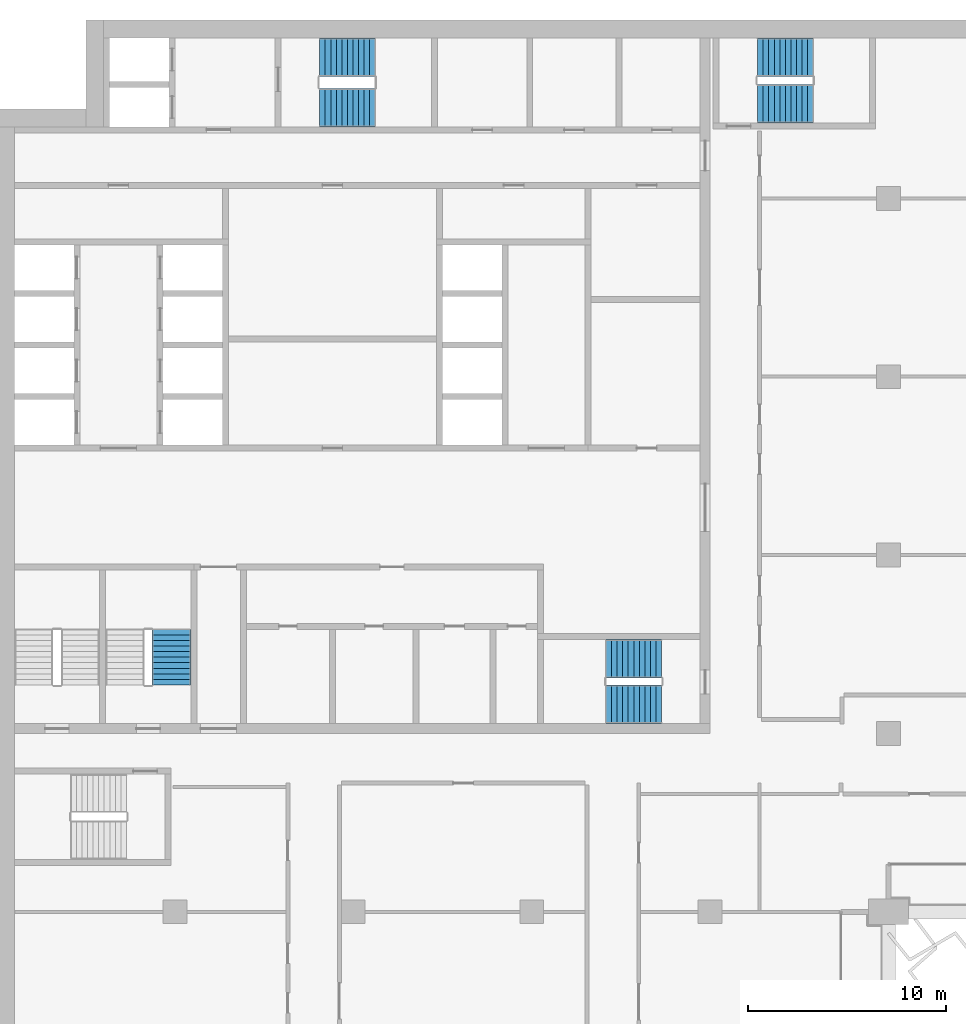
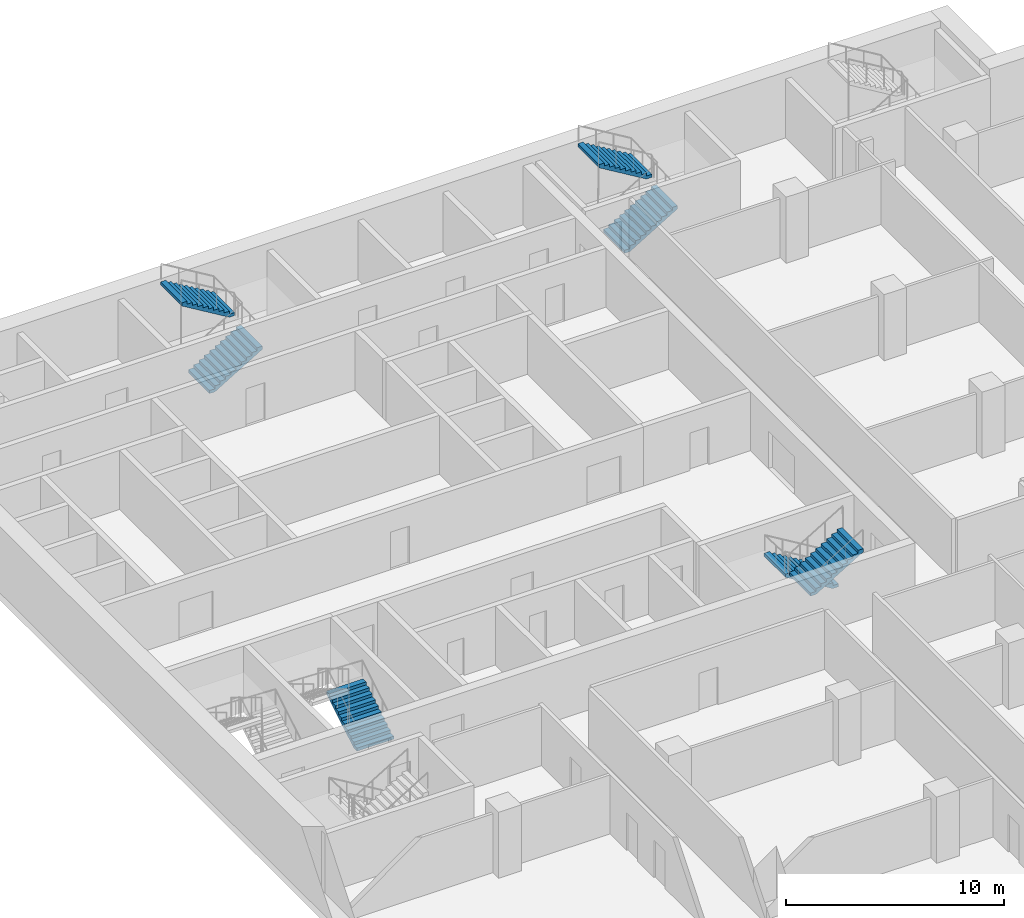
# One storey, part 16 of 22: 7 stair flights, 4 elements without a shape of their own.
"""IFC4 building model written with IfcOpenShell, lengths in metres."""

from ifc_helpers import new_model, si_unit, direction, frame, origin, place, context, subcontext, project, spatial, polyline, outline, extrude, material, type_object, element, aggregate, save


model = new_model("IFC4")

# Units and contexts
model_context = context("Model", 3, precision=1e-05, world=origin(), true_north=direction((0.0, 1.0)))
body_context = subcontext(model_context, "Body", "Model", "MODEL_VIEW")
ifc_project = project(units=[si_unit("LENGTHUNIT", "METRE"), si_unit("AREAUNIT", "SQUARE_METRE"), si_unit("VOLUMEUNIT", "CUBIC_METRE"), si_unit("PLANEANGLEUNIT", "RADIAN"), si_unit("MASSUNIT", "GRAM", prefix="KILO")], contexts=[model_context])

# Site, building, storey
site_placement = place(None, origin())
site = spatial("IfcSite", under=ifc_project, at=site_placement, CompositionType="ELEMENT")
building_placement = place(site_placement, origin())
building = spatial("IfcBuilding", under=site, at=building_placement, Name="Hunhe Ridgeline Campus", CompositionType="ELEMENT")
storey_placement = place(building_placement, frame((0.0, 0.0, 159.699951171875)))
storey = spatial("IfcBuildingStorey", under=building, at=storey_placement, Name="L40", CompositionType="ELEMENT", Elevation=159.699951171875)

# Stair, stair flights
ifc_material = material(Name="Concrete C40", Category="concrete")
stair_type = type_object("IfcStairType", Name="Reinforced concrete dog-leg stair 1950 Concrete C40", PredefinedType="HALF_TURN_STAIR", material=ifc_material)
stair_1_placement = place(storey_placement, origin())
stair_1 = element("IfcStair", 1, at=stair_1_placement, inside=storey, type_object=stair_type, Name="L40 S1", PredefinedType="HALF_TURN_STAIR")
stair_flight_type = type_object("IfcStairFlightType", Name="Reinforced concrete stair flight 1950 Concrete C40", PredefinedType="STRAIGHT", material=ifc_material)
stair_flight_1_placement = place(storey_placement, frame((16.300048828125, 94.574951171875, 0.0), z_axis=(0.0, 0.0, 1.0), x_axis=(1.0, 0.0, 0.0)))
stair_flight_1 = element("IfcStairFlight", 2, at=stair_flight_1_placement, type_object=stair_flight_type, Name="ST1 flight 1", NumberOfRisers=11, NumberOfTreads=10, PredefinedType="STRAIGHT", RiserHeight=0.168181818, TreadLength=0.28, context=body_context, shape_type="SweptSolid", body=[
    extrude(outline(polyline([(0.0, 0.0), (0.0, 0.168212890625), (0.280029296875, 0.168212890625), (0.280029296875, 0.33642578125), (0.56005859375, 0.33642578125), (0.56005859375, 0.504638671875), (0.840087890625, 0.504638671875), (0.840087890625, 0.672607421875), (1.1201171875, 0.672607421875), (1.1201171875, 0.8408203125), (1.39990234375, 0.8408203125), (1.39990234375, 1.009033203125), (1.679931640625, 1.009033203125), (1.679931640625, 1.17724609375), (1.9599609375, 1.17724609375), (1.9599609375, 1.345458984375), (2.239990234375, 1.345458984375), (2.239990234375, 1.513671875), (2.52001953125, 1.513671875), (2.52001953125, 1.681884765625), (2.800048828125, 1.681884765625), (2.800048828125, 1.85009765625), (2.800048828125, 1.5068359375), (0.291015625, 0.0), (0.0, 0.0)])), frame((0.0, 0.97509765625, 0.0), z_axis=(0.0, -1.0, 0.0), x_axis=(1.0, 0.0, 0.0)), (0.0, 0.0, 1.0), 1.949951171875),
    extrude(outline(polyline([(0.030029296875, 0.030029296875), (0.030029296875, 0.13818359375), (0.31005859375, 0.13818359375), (0.31005859375, 0.306396484375), (0.590087890625, 0.306396484375), (0.590087890625, 0.474609375), (0.8701171875, 0.474609375), (0.8701171875, 0.642578125), (1.14990234375, 0.642578125), (1.14990234375, 0.810791015625), (1.429931640625, 0.810791015625), (1.429931640625, 0.97900390625), (1.7099609375, 0.97900390625), (1.7099609375, 1.147216796875), (1.989990234375, 1.147216796875), (1.989990234375, 1.3154296875), (2.27001953125, 1.3154296875), (2.27001953125, 1.483642578125), (2.550048828125, 1.483642578125), (2.550048828125, 1.65185546875), (2.77001953125, 1.65185546875), (2.77001953125, 1.52392578125), (0.28271484375, 0.030029296875), (0.030029296875, 0.030029296875)])), frame((0.0, -0.070068359375, 0.0), z_axis=(0.0, -1.0, 0.0), x_axis=(1.0, 0.0, 0.0)), (0.0, 0.0, 1.0), 0.019775390625),
    extrude(outline(polyline([(0.030029296875, 0.030029296875), (0.030029296875, 0.13818359375), (0.31005859375, 0.13818359375), (0.31005859375, 0.306396484375), (0.590087890625, 0.306396484375), (0.590087890625, 0.474609375), (0.8701171875, 0.474609375), (0.8701171875, 0.642578125), (1.14990234375, 0.642578125), (1.14990234375, 0.810791015625), (1.429931640625, 0.810791015625), (1.429931640625, 0.97900390625), (1.7099609375, 0.97900390625), (1.7099609375, 1.147216796875), (1.989990234375, 1.147216796875), (1.989990234375, 1.3154296875), (2.27001953125, 1.3154296875), (2.27001953125, 1.483642578125), (2.550048828125, 1.483642578125), (2.550048828125, 1.65185546875), (2.77001953125, 1.65185546875), (2.77001953125, 1.52392578125), (0.28271484375, 0.030029296875), (0.030029296875, 0.030029296875)])), frame((0.0, 0.010009765625, 0.0), z_axis=(0.0, -1.0, 0.0), x_axis=(1.0, 0.0, 0.0)), (0.0, 0.0, 1.0), 0.019775390625),
    extrude(outline(polyline([(0.030029296875, 0.030029296875), (0.030029296875, 0.13818359375), (0.31005859375, 0.13818359375), (0.31005859375, 0.306396484375), (0.590087890625, 0.306396484375), (0.590087890625, 0.474609375), (0.8701171875, 0.474609375), (0.8701171875, 0.642578125), (1.14990234375, 0.642578125), (1.14990234375, 0.810791015625), (1.429931640625, 0.810791015625), (1.429931640625, 0.97900390625), (1.7099609375, 0.97900390625), (1.7099609375, 1.147216796875), (1.989990234375, 1.147216796875), (1.989990234375, 1.3154296875), (2.27001953125, 1.3154296875), (2.27001953125, 1.483642578125), (2.550048828125, 1.483642578125), (2.550048828125, 1.65185546875), (2.77001953125, 1.65185546875), (2.77001953125, 1.52392578125), (0.28271484375, 0.030029296875), (0.030029296875, 0.030029296875)])), frame((0.0, 0.090087890625, 0.0), z_axis=(0.0, -1.0, 0.0), x_axis=(1.0, 0.0, 0.0)), (0.0, 0.0, 1.0), 0.019775390625),
])
stair_flight_2_placement = place(storey_placement, frame((19.10009765625, 97.125, 1.85009765625), z_axis=(0.0, 0.0, 1.0), x_axis=(-1.0, 0.0, 0.0)))
stair_flight_2 = element("IfcStairFlight", 3, at=stair_flight_2_placement, type_object=stair_flight_type, Name="ST1 flight 2", NumberOfRisers=11, NumberOfTreads=10, PredefinedType="STRAIGHT", RiserHeight=0.168181818, TreadLength=0.28, context=body_context, shape_type="SweptSolid", body=[
    extrude(outline(polyline([(0.0, 0.0), (0.0, 0.168212890625), (0.280029296875, 0.168212890625), (0.280029296875, 0.33642578125), (0.56005859375, 0.33642578125), (0.56005859375, 0.504638671875), (0.840087890625, 0.504638671875), (0.840087890625, 0.672607421875), (1.1201171875, 0.672607421875), (1.1201171875, 0.8408203125), (1.39990234375, 0.8408203125), (1.39990234375, 1.009033203125), (1.679931640625, 1.009033203125), (1.679931640625, 1.17724609375), (1.9599609375, 1.17724609375), (1.9599609375, 1.345458984375), (2.239990234375, 1.345458984375), (2.239990234375, 1.513671875), (2.52001953125, 1.513671875), (2.52001953125, 1.681884765625), (2.800048828125, 1.681884765625), (2.800048828125, 1.85009765625), (2.800048828125, 1.5068359375), (0.291015625, 0.0), (0.0, 0.0)])), frame((0.0, 0.97509765625, 0.0), z_axis=(0.0, -1.0, 0.0), x_axis=(1.0, 0.0, 0.0)), (0.0, 0.0, 1.0), 1.949951171875),
    extrude(outline(polyline([(0.030029296875, 0.030029296875), (0.030029296875, 0.13818359375), (0.31005859375, 0.13818359375), (0.31005859375, 0.306396484375), (0.590087890625, 0.306396484375), (0.590087890625, 0.474609375), (0.8701171875, 0.474609375), (0.8701171875, 0.642578125), (1.14990234375, 0.642578125), (1.14990234375, 0.810791015625), (1.429931640625, 0.810791015625), (1.429931640625, 0.97900390625), (1.7099609375, 0.97900390625), (1.7099609375, 1.147216796875), (1.989990234375, 1.147216796875), (1.989990234375, 1.3154296875), (2.27001953125, 1.3154296875), (2.27001953125, 1.483642578125), (2.550048828125, 1.483642578125), (2.550048828125, 1.65185546875), (2.77001953125, 1.65185546875), (2.77001953125, 1.52392578125), (0.28271484375, 0.030029296875), (0.030029296875, 0.030029296875)])), frame((0.0, -0.070068359375, 0.0), z_axis=(0.0, -1.0, 0.0), x_axis=(1.0, 0.0, 0.0)), (0.0, 0.0, 1.0), 0.019775390625),
    extrude(outline(polyline([(0.030029296875, 0.030029296875), (0.030029296875, 0.13818359375), (0.31005859375, 0.13818359375), (0.31005859375, 0.306396484375), (0.590087890625, 0.306396484375), (0.590087890625, 0.474609375), (0.8701171875, 0.474609375), (0.8701171875, 0.642578125), (1.14990234375, 0.642578125), (1.14990234375, 0.810791015625), (1.429931640625, 0.810791015625), (1.429931640625, 0.97900390625), (1.7099609375, 0.97900390625), (1.7099609375, 1.147216796875), (1.989990234375, 1.147216796875), (1.989990234375, 1.3154296875), (2.27001953125, 1.3154296875), (2.27001953125, 1.483642578125), (2.550048828125, 1.483642578125), (2.550048828125, 1.65185546875), (2.77001953125, 1.65185546875), (2.77001953125, 1.52392578125), (0.28271484375, 0.030029296875), (0.030029296875, 0.030029296875)])), frame((0.0, 0.010009765625, 0.0), z_axis=(0.0, -1.0, 0.0), x_axis=(1.0, 0.0, 0.0)), (0.0, 0.0, 1.0), 0.019775390625),
    extrude(outline(polyline([(0.030029296875, 0.030029296875), (0.030029296875, 0.13818359375), (0.31005859375, 0.13818359375), (0.31005859375, 0.306396484375), (0.590087890625, 0.306396484375), (0.590087890625, 0.474609375), (0.8701171875, 0.474609375), (0.8701171875, 0.642578125), (1.14990234375, 0.642578125), (1.14990234375, 0.810791015625), (1.429931640625, 0.810791015625), (1.429931640625, 0.97900390625), (1.7099609375, 0.97900390625), (1.7099609375, 1.147216796875), (1.989990234375, 1.147216796875), (1.989990234375, 1.3154296875), (2.27001953125, 1.3154296875), (2.27001953125, 1.483642578125), (2.550048828125, 1.483642578125), (2.550048828125, 1.65185546875), (2.77001953125, 1.65185546875), (2.77001953125, 1.52392578125), (0.28271484375, 0.030029296875), (0.030029296875, 0.030029296875)])), frame((0.0, 0.090087890625, 0.0), z_axis=(0.0, -1.0, 0.0), x_axis=(1.0, 0.0, 0.0)), (0.0, 0.0, 1.0), 0.019775390625),
])
aggregate(stair_1, [stair_flight_1, stair_flight_2])

stair_2_placement = place(storey_placement, origin())
stair_2 = element("IfcStair", 4, at=stair_2_placement, inside=storey, type_object=stair_type, Name="L40 S2", PredefinedType="HALF_TURN_STAIR")
stair_flight_3_placement = place(storey_placement, frame((33.550048828125, 66.77490234375, 0.0), z_axis=(0.0, 0.0, 1.0), x_axis=(-1.0, 0.0, 0.0)))
stair_flight_3 = element("IfcStairFlight", 5, at=stair_flight_3_placement, type_object=stair_flight_type, Name="ST2 flight 1", NumberOfRisers=11, NumberOfTreads=10, PredefinedType="STRAIGHT", RiserHeight=0.168181818, TreadLength=0.28, context=body_context, shape_type="SweptSolid", body=[
    extrude(outline(polyline([(0.0, 0.0), (0.0, 0.168212890625), (0.280029296875, 0.168212890625), (0.280029296875, 0.33642578125), (0.56005859375, 0.33642578125), (0.56005859375, 0.504638671875), (0.840087890625, 0.504638671875), (0.840087890625, 0.672607421875), (1.1201171875, 0.672607421875), (1.1201171875, 0.8408203125), (1.39990234375, 0.8408203125), (1.39990234375, 1.009033203125), (1.679931640625, 1.009033203125), (1.679931640625, 1.17724609375), (1.9599609375, 1.17724609375), (1.9599609375, 1.345458984375), (2.239990234375, 1.345458984375), (2.239990234375, 1.513671875), (2.52001953125, 1.513671875), (2.52001953125, 1.681884765625), (2.800048828125, 1.681884765625), (2.800048828125, 1.85009765625), (2.800048828125, 1.5068359375), (0.291015625, 0.0), (0.0, 0.0)])), frame((0.0, 0.97509765625, 0.0), z_axis=(0.0, -1.0, 0.0), x_axis=(1.0, 0.0, 0.0)), (0.0, 0.0, 1.0), 1.949951171875),
    extrude(outline(polyline([(0.030029296875, 0.030029296875), (0.030029296875, 0.13818359375), (0.31005859375, 0.13818359375), (0.31005859375, 0.306396484375), (0.590087890625, 0.306396484375), (0.590087890625, 0.474609375), (0.8701171875, 0.474609375), (0.8701171875, 0.642578125), (1.14990234375, 0.642578125), (1.14990234375, 0.810791015625), (1.429931640625, 0.810791015625), (1.429931640625, 0.97900390625), (1.7099609375, 0.97900390625), (1.7099609375, 1.147216796875), (1.989990234375, 1.147216796875), (1.989990234375, 1.3154296875), (2.27001953125, 1.3154296875), (2.27001953125, 1.483642578125), (2.550048828125, 1.483642578125), (2.550048828125, 1.65185546875), (2.77001953125, 1.65185546875), (2.77001953125, 1.52392578125), (0.28271484375, 0.030029296875), (0.030029296875, 0.030029296875)])), frame((0.0, -0.070068359375, 0.0), z_axis=(0.0, -1.0, 0.0), x_axis=(1.0, 0.0, 0.0)), (0.0, 0.0, 1.0), 0.019775390625),
    extrude(outline(polyline([(0.030029296875, 0.030029296875), (0.030029296875, 0.13818359375), (0.31005859375, 0.13818359375), (0.31005859375, 0.306396484375), (0.590087890625, 0.306396484375), (0.590087890625, 0.474609375), (0.8701171875, 0.474609375), (0.8701171875, 0.642578125), (1.14990234375, 0.642578125), (1.14990234375, 0.810791015625), (1.429931640625, 0.810791015625), (1.429931640625, 0.97900390625), (1.7099609375, 0.97900390625), (1.7099609375, 1.147216796875), (1.989990234375, 1.147216796875), (1.989990234375, 1.3154296875), (2.27001953125, 1.3154296875), (2.27001953125, 1.483642578125), (2.550048828125, 1.483642578125), (2.550048828125, 1.65185546875), (2.77001953125, 1.65185546875), (2.77001953125, 1.52392578125), (0.28271484375, 0.030029296875), (0.030029296875, 0.030029296875)])), frame((0.0, 0.010009765625, 0.0), z_axis=(0.0, -1.0, 0.0), x_axis=(1.0, 0.0, 0.0)), (0.0, 0.0, 1.0), 0.019775390625),
    extrude(outline(polyline([(0.030029296875, 0.030029296875), (0.030029296875, 0.13818359375), (0.31005859375, 0.13818359375), (0.31005859375, 0.306396484375), (0.590087890625, 0.306396484375), (0.590087890625, 0.474609375), (0.8701171875, 0.474609375), (0.8701171875, 0.642578125), (1.14990234375, 0.642578125), (1.14990234375, 0.810791015625), (1.429931640625, 0.810791015625), (1.429931640625, 0.97900390625), (1.7099609375, 0.97900390625), (1.7099609375, 1.147216796875), (1.989990234375, 1.147216796875), (1.989990234375, 1.3154296875), (2.27001953125, 1.3154296875), (2.27001953125, 1.483642578125), (2.550048828125, 1.483642578125), (2.550048828125, 1.65185546875), (2.77001953125, 1.65185546875), (2.77001953125, 1.52392578125), (0.28271484375, 0.030029296875), (0.030029296875, 0.030029296875)])), frame((0.0, 0.090087890625, 0.0), z_axis=(0.0, -1.0, 0.0), x_axis=(1.0, 0.0, 0.0)), (0.0, 0.0, 1.0), 0.019775390625),
])
stair_flight_4_placement = place(storey_placement, frame((30.75, 64.47509765625, 1.85009765625), z_axis=(0.0, 0.0, 1.0), x_axis=(1.0, 0.0, 0.0)))
stair_flight_4 = element("IfcStairFlight", 6, at=stair_flight_4_placement, type_object=stair_flight_type, Name="ST2 flight 2", NumberOfRisers=11, NumberOfTreads=10, PredefinedType="STRAIGHT", RiserHeight=0.168181818, TreadLength=0.28, context=body_context, shape_type="SweptSolid", body=[
    extrude(outline(polyline([(0.0, 0.0), (0.0, 0.168212890625), (0.280029296875, 0.168212890625), (0.280029296875, 0.33642578125), (0.56005859375, 0.33642578125), (0.56005859375, 0.504638671875), (0.840087890625, 0.504638671875), (0.840087890625, 0.672607421875), (1.1201171875, 0.672607421875), (1.1201171875, 0.8408203125), (1.39990234375, 0.8408203125), (1.39990234375, 1.009033203125), (1.679931640625, 1.009033203125), (1.679931640625, 1.17724609375), (1.9599609375, 1.17724609375), (1.9599609375, 1.345458984375), (2.239990234375, 1.345458984375), (2.239990234375, 1.513671875), (2.52001953125, 1.513671875), (2.52001953125, 1.681884765625), (2.800048828125, 1.681884765625), (2.800048828125, 1.85009765625), (2.800048828125, 1.5068359375), (0.291015625, 0.0), (0.0, 0.0)])), frame((0.0, 0.97509765625, 0.0), z_axis=(0.0, -1.0, 0.0), x_axis=(1.0, 0.0, 0.0)), (0.0, 0.0, 1.0), 1.949951171875),
    extrude(outline(polyline([(0.030029296875, 0.030029296875), (0.030029296875, 0.13818359375), (0.31005859375, 0.13818359375), (0.31005859375, 0.306396484375), (0.590087890625, 0.306396484375), (0.590087890625, 0.474609375), (0.8701171875, 0.474609375), (0.8701171875, 0.642578125), (1.14990234375, 0.642578125), (1.14990234375, 0.810791015625), (1.429931640625, 0.810791015625), (1.429931640625, 0.97900390625), (1.7099609375, 0.97900390625), (1.7099609375, 1.147216796875), (1.989990234375, 1.147216796875), (1.989990234375, 1.3154296875), (2.27001953125, 1.3154296875), (2.27001953125, 1.483642578125), (2.550048828125, 1.483642578125), (2.550048828125, 1.65185546875), (2.77001953125, 1.65185546875), (2.77001953125, 1.52392578125), (0.28271484375, 0.030029296875), (0.030029296875, 0.030029296875)])), frame((0.0, -0.070068359375, 0.0), z_axis=(0.0, -1.0, 0.0), x_axis=(1.0, 0.0, 0.0)), (0.0, 0.0, 1.0), 0.019775390625),
    extrude(outline(polyline([(0.030029296875, 0.030029296875), (0.030029296875, 0.13818359375), (0.31005859375, 0.13818359375), (0.31005859375, 0.306396484375), (0.590087890625, 0.306396484375), (0.590087890625, 0.474609375), (0.8701171875, 0.474609375), (0.8701171875, 0.642578125), (1.14990234375, 0.642578125), (1.14990234375, 0.810791015625), (1.429931640625, 0.810791015625), (1.429931640625, 0.97900390625), (1.7099609375, 0.97900390625), (1.7099609375, 1.147216796875), (1.989990234375, 1.147216796875), (1.989990234375, 1.3154296875), (2.27001953125, 1.3154296875), (2.27001953125, 1.483642578125), (2.550048828125, 1.483642578125), (2.550048828125, 1.65185546875), (2.77001953125, 1.65185546875), (2.77001953125, 1.52392578125), (0.28271484375, 0.030029296875), (0.030029296875, 0.030029296875)])), frame((0.0, 0.010009765625, 0.0), z_axis=(0.0, -1.0, 0.0), x_axis=(1.0, 0.0, 0.0)), (0.0, 0.0, 1.0), 0.019775390625),
    extrude(outline(polyline([(0.030029296875, 0.030029296875), (0.030029296875, 0.13818359375), (0.31005859375, 0.13818359375), (0.31005859375, 0.306396484375), (0.590087890625, 0.306396484375), (0.590087890625, 0.474609375), (0.8701171875, 0.474609375), (0.8701171875, 0.642578125), (1.14990234375, 0.642578125), (1.14990234375, 0.810791015625), (1.429931640625, 0.810791015625), (1.429931640625, 0.97900390625), (1.7099609375, 0.97900390625), (1.7099609375, 1.147216796875), (1.989990234375, 1.147216796875), (1.989990234375, 1.3154296875), (2.27001953125, 1.3154296875), (2.27001953125, 1.483642578125), (2.550048828125, 1.483642578125), (2.550048828125, 1.65185546875), (2.77001953125, 1.65185546875), (2.77001953125, 1.52392578125), (0.28271484375, 0.030029296875), (0.030029296875, 0.030029296875)])), frame((0.0, 0.090087890625, 0.0), z_axis=(0.0, -1.0, 0.0), x_axis=(1.0, 0.0, 0.0)), (0.0, 0.0, 1.0), 0.019775390625),
])
aggregate(stair_2, [stair_flight_3, stair_flight_4])

# Stair, stair flight
stair_3_placement = place(storey_placement, origin())
stair_3 = element("IfcStair", 7, at=stair_3_placement, inside=storey, type_object=stair_type, Name="L40 S4", PredefinedType="HALF_TURN_STAIR")
stair_flight_5_placement = place(storey_placement, frame((8.824951171875, 65.449951171875, 0.0), z_axis=(0.0, 0.0, 1.0), x_axis=(0.0, 1.0, 0.0)))
stair_flight_5 = element("IfcStairFlight", 8, at=stair_flight_5_placement, type_object=stair_flight_type, Name="ST4 flight 1", NumberOfRisers=11, NumberOfTreads=10, PredefinedType="STRAIGHT", RiserHeight=0.168181818, TreadLength=0.28, context=body_context, shape_type="SweptSolid", body=[
    extrude(outline(polyline([(0.0, 0.0), (0.0, 0.168212890625), (0.280029296875, 0.168212890625), (0.280029296875, 0.33642578125), (0.56005859375, 0.33642578125), (0.56005859375, 0.504638671875), (0.840087890625, 0.504638671875), (0.840087890625, 0.672607421875), (1.1201171875, 0.672607421875), (1.1201171875, 0.8408203125), (1.39990234375, 0.8408203125), (1.39990234375, 1.009033203125), (1.679931640625, 1.009033203125), (1.679931640625, 1.17724609375), (1.9599609375, 1.17724609375), (1.9599609375, 1.345458984375), (2.239990234375, 1.345458984375), (2.239990234375, 1.513671875), (2.52001953125, 1.513671875), (2.52001953125, 1.681884765625), (2.800048828125, 1.681884765625), (2.800048828125, 1.85009765625), (2.800048828125, 1.5068359375), (0.291015625, 0.0), (0.0, 0.0)])), frame((0.0, 0.97509765625, 0.0), z_axis=(0.0, -1.0, 0.0), x_axis=(1.0, 0.0, 0.0)), (0.0, 0.0, 1.0), 1.949951171875),
    extrude(outline(polyline([(0.030029296875, 0.030029296875), (0.030029296875, 0.13818359375), (0.31005859375, 0.13818359375), (0.31005859375, 0.306396484375), (0.590087890625, 0.306396484375), (0.590087890625, 0.474609375), (0.8701171875, 0.474609375), (0.8701171875, 0.642578125), (1.14990234375, 0.642578125), (1.14990234375, 0.810791015625), (1.429931640625, 0.810791015625), (1.429931640625, 0.97900390625), (1.7099609375, 0.97900390625), (1.7099609375, 1.147216796875), (1.989990234375, 1.147216796875), (1.989990234375, 1.3154296875), (2.27001953125, 1.3154296875), (2.27001953125, 1.483642578125), (2.550048828125, 1.483642578125), (2.550048828125, 1.65185546875), (2.77001953125, 1.65185546875), (2.77001953125, 1.52392578125), (0.28271484375, 0.030029296875), (0.030029296875, 0.030029296875)])), frame((0.0, -0.070068359375, 0.0), z_axis=(0.0, -1.0, 0.0), x_axis=(1.0, 0.0, 0.0)), (0.0, 0.0, 1.0), 0.019775390625),
    extrude(outline(polyline([(0.030029296875, 0.030029296875), (0.030029296875, 0.13818359375), (0.31005859375, 0.13818359375), (0.31005859375, 0.306396484375), (0.590087890625, 0.306396484375), (0.590087890625, 0.474609375), (0.8701171875, 0.474609375), (0.8701171875, 0.642578125), (1.14990234375, 0.642578125), (1.14990234375, 0.810791015625), (1.429931640625, 0.810791015625), (1.429931640625, 0.97900390625), (1.7099609375, 0.97900390625), (1.7099609375, 1.147216796875), (1.989990234375, 1.147216796875), (1.989990234375, 1.3154296875), (2.27001953125, 1.3154296875), (2.27001953125, 1.483642578125), (2.550048828125, 1.483642578125), (2.550048828125, 1.65185546875), (2.77001953125, 1.65185546875), (2.77001953125, 1.52392578125), (0.28271484375, 0.030029296875), (0.030029296875, 0.030029296875)])), frame((0.0, 0.010009765625, 0.0), z_axis=(0.0, -1.0, 0.0), x_axis=(1.0, 0.0, 0.0)), (0.0, 0.0, 1.0), 0.019775390625),
    extrude(outline(polyline([(0.030029296875, 0.030029296875), (0.030029296875, 0.13818359375), (0.31005859375, 0.13818359375), (0.31005859375, 0.306396484375), (0.590087890625, 0.306396484375), (0.590087890625, 0.474609375), (0.8701171875, 0.474609375), (0.8701171875, 0.642578125), (1.14990234375, 0.642578125), (1.14990234375, 0.810791015625), (1.429931640625, 0.810791015625), (1.429931640625, 0.97900390625), (1.7099609375, 0.97900390625), (1.7099609375, 1.147216796875), (1.989990234375, 1.147216796875), (1.989990234375, 1.3154296875), (2.27001953125, 1.3154296875), (2.27001953125, 1.483642578125), (2.550048828125, 1.483642578125), (2.550048828125, 1.65185546875), (2.77001953125, 1.65185546875), (2.77001953125, 1.52392578125), (0.28271484375, 0.030029296875), (0.030029296875, 0.030029296875)])), frame((0.0, 0.090087890625, 0.0), z_axis=(0.0, -1.0, 0.0), x_axis=(1.0, 0.0, 0.0)), (0.0, 0.0, 1.0), 0.019775390625),
])
aggregate(stair_3, [stair_flight_5])

# Stair, stair flights
stair_4_placement = place(storey_placement, origin())
stair_4 = element("IfcStair", 9, at=stair_4_placement, inside=storey, type_object=stair_type, Name="L40 E1", PredefinedType="HALF_TURN_STAIR")
stair_flight_6_placement = place(storey_placement, frame((38.39990234375, 94.77490234375, 0.0), z_axis=(0.0, 0.0, 1.0), x_axis=(1.0, 0.0, 0.0)))
stair_flight_6 = element("IfcStairFlight", 10, at=stair_flight_6_placement, type_object=stair_flight_type, Name="ST5 flight 1", NumberOfRisers=11, NumberOfTreads=10, PredefinedType="STRAIGHT", RiserHeight=0.168181818, TreadLength=0.28, context=body_context, shape_type="SweptSolid", body=[
    extrude(outline(polyline([(0.0, 0.0), (0.0, 0.168212890625), (0.280029296875, 0.168212890625), (0.280029296875, 0.33642578125), (0.56005859375, 0.33642578125), (0.56005859375, 0.504638671875), (0.840087890625, 0.504638671875), (0.840087890625, 0.672607421875), (1.1201171875, 0.672607421875), (1.1201171875, 0.8408203125), (1.39990234375, 0.8408203125), (1.39990234375, 1.009033203125), (1.679931640625, 1.009033203125), (1.679931640625, 1.17724609375), (1.9599609375, 1.17724609375), (1.9599609375, 1.345458984375), (2.239990234375, 1.345458984375), (2.239990234375, 1.513671875), (2.52001953125, 1.513671875), (2.52001953125, 1.681884765625), (2.800048828125, 1.681884765625), (2.800048828125, 1.85009765625), (2.800048828125, 1.5068359375), (0.291015625, 0.0), (0.0, 0.0)])), frame((0.0, 0.97509765625, 0.0), z_axis=(0.0, -1.0, 0.0), x_axis=(1.0, 0.0, 0.0)), (0.0, 0.0, 1.0), 1.949951171875),
    extrude(outline(polyline([(0.030029296875, 0.030029296875), (0.030029296875, 0.13818359375), (0.31005859375, 0.13818359375), (0.31005859375, 0.306396484375), (0.590087890625, 0.306396484375), (0.590087890625, 0.474609375), (0.8701171875, 0.474609375), (0.8701171875, 0.642578125), (1.14990234375, 0.642578125), (1.14990234375, 0.810791015625), (1.429931640625, 0.810791015625), (1.429931640625, 0.97900390625), (1.7099609375, 0.97900390625), (1.7099609375, 1.147216796875), (1.989990234375, 1.147216796875), (1.989990234375, 1.3154296875), (2.27001953125, 1.3154296875), (2.27001953125, 1.483642578125), (2.550048828125, 1.483642578125), (2.550048828125, 1.65185546875), (2.77001953125, 1.65185546875), (2.77001953125, 1.52392578125), (0.28271484375, 0.030029296875), (0.030029296875, 0.030029296875)])), frame((0.0, -0.070068359375, 0.0), z_axis=(0.0, -1.0, 0.0), x_axis=(1.0, 0.0, 0.0)), (0.0, 0.0, 1.0), 0.019775390625),
    extrude(outline(polyline([(0.030029296875, 0.030029296875), (0.030029296875, 0.13818359375), (0.31005859375, 0.13818359375), (0.31005859375, 0.306396484375), (0.590087890625, 0.306396484375), (0.590087890625, 0.474609375), (0.8701171875, 0.474609375), (0.8701171875, 0.642578125), (1.14990234375, 0.642578125), (1.14990234375, 0.810791015625), (1.429931640625, 0.810791015625), (1.429931640625, 0.97900390625), (1.7099609375, 0.97900390625), (1.7099609375, 1.147216796875), (1.989990234375, 1.147216796875), (1.989990234375, 1.3154296875), (2.27001953125, 1.3154296875), (2.27001953125, 1.483642578125), (2.550048828125, 1.483642578125), (2.550048828125, 1.65185546875), (2.77001953125, 1.65185546875), (2.77001953125, 1.52392578125), (0.28271484375, 0.030029296875), (0.030029296875, 0.030029296875)])), frame((0.0, 0.010009765625, 0.0), z_axis=(0.0, -1.0, 0.0), x_axis=(1.0, 0.0, 0.0)), (0.0, 0.0, 1.0), 0.019775390625),
    extrude(outline(polyline([(0.030029296875, 0.030029296875), (0.030029296875, 0.13818359375), (0.31005859375, 0.13818359375), (0.31005859375, 0.306396484375), (0.590087890625, 0.306396484375), (0.590087890625, 0.474609375), (0.8701171875, 0.474609375), (0.8701171875, 0.642578125), (1.14990234375, 0.642578125), (1.14990234375, 0.810791015625), (1.429931640625, 0.810791015625), (1.429931640625, 0.97900390625), (1.7099609375, 0.97900390625), (1.7099609375, 1.147216796875), (1.989990234375, 1.147216796875), (1.989990234375, 1.3154296875), (2.27001953125, 1.3154296875), (2.27001953125, 1.483642578125), (2.550048828125, 1.483642578125), (2.550048828125, 1.65185546875), (2.77001953125, 1.65185546875), (2.77001953125, 1.52392578125), (0.28271484375, 0.030029296875), (0.030029296875, 0.030029296875)])), frame((0.0, 0.090087890625, 0.0), z_axis=(0.0, -1.0, 0.0), x_axis=(1.0, 0.0, 0.0)), (0.0, 0.0, 1.0), 0.019775390625),
])
stair_flight_7_placement = place(storey_placement, frame((41.199951171875, 97.125, 1.85009765625), z_axis=(0.0, 0.0, 1.0), x_axis=(-1.0, 0.0, 0.0)))
stair_flight_7 = element("IfcStairFlight", 11, at=stair_flight_7_placement, type_object=stair_flight_type, Name="ST5 flight 2", NumberOfRisers=11, NumberOfTreads=10, PredefinedType="STRAIGHT", RiserHeight=0.168181818, TreadLength=0.28, context=body_context, shape_type="SweptSolid", body=[
    extrude(outline(polyline([(0.0, 0.0), (0.0, 0.168212890625), (0.280029296875, 0.168212890625), (0.280029296875, 0.33642578125), (0.56005859375, 0.33642578125), (0.56005859375, 0.504638671875), (0.840087890625, 0.504638671875), (0.840087890625, 0.672607421875), (1.1201171875, 0.672607421875), (1.1201171875, 0.8408203125), (1.39990234375, 0.8408203125), (1.39990234375, 1.009033203125), (1.679931640625, 1.009033203125), (1.679931640625, 1.17724609375), (1.9599609375, 1.17724609375), (1.9599609375, 1.345458984375), (2.239990234375, 1.345458984375), (2.239990234375, 1.513671875), (2.52001953125, 1.513671875), (2.52001953125, 1.681884765625), (2.800048828125, 1.681884765625), (2.800048828125, 1.85009765625), (2.800048828125, 1.5068359375), (0.291015625, 0.0), (0.0, 0.0)])), frame((0.0, 0.97509765625, 0.0), z_axis=(0.0, -1.0, 0.0), x_axis=(1.0, 0.0, 0.0)), (0.0, 0.0, 1.0), 1.949951171875),
    extrude(outline(polyline([(0.030029296875, 0.030029296875), (0.030029296875, 0.13818359375), (0.31005859375, 0.13818359375), (0.31005859375, 0.306396484375), (0.590087890625, 0.306396484375), (0.590087890625, 0.474609375), (0.8701171875, 0.474609375), (0.8701171875, 0.642578125), (1.14990234375, 0.642578125), (1.14990234375, 0.810791015625), (1.429931640625, 0.810791015625), (1.429931640625, 0.97900390625), (1.7099609375, 0.97900390625), (1.7099609375, 1.147216796875), (1.989990234375, 1.147216796875), (1.989990234375, 1.3154296875), (2.27001953125, 1.3154296875), (2.27001953125, 1.483642578125), (2.550048828125, 1.483642578125), (2.550048828125, 1.65185546875), (2.77001953125, 1.65185546875), (2.77001953125, 1.52392578125), (0.28271484375, 0.030029296875), (0.030029296875, 0.030029296875)])), frame((0.0, -0.070068359375, 0.0), z_axis=(0.0, -1.0, 0.0), x_axis=(1.0, 0.0, 0.0)), (0.0, 0.0, 1.0), 0.019775390625),
    extrude(outline(polyline([(0.030029296875, 0.030029296875), (0.030029296875, 0.13818359375), (0.31005859375, 0.13818359375), (0.31005859375, 0.306396484375), (0.590087890625, 0.306396484375), (0.590087890625, 0.474609375), (0.8701171875, 0.474609375), (0.8701171875, 0.642578125), (1.14990234375, 0.642578125), (1.14990234375, 0.810791015625), (1.429931640625, 0.810791015625), (1.429931640625, 0.97900390625), (1.7099609375, 0.97900390625), (1.7099609375, 1.147216796875), (1.989990234375, 1.147216796875), (1.989990234375, 1.3154296875), (2.27001953125, 1.3154296875), (2.27001953125, 1.483642578125), (2.550048828125, 1.483642578125), (2.550048828125, 1.65185546875), (2.77001953125, 1.65185546875), (2.77001953125, 1.52392578125), (0.28271484375, 0.030029296875), (0.030029296875, 0.030029296875)])), frame((0.0, 0.010009765625, 0.0), z_axis=(0.0, -1.0, 0.0), x_axis=(1.0, 0.0, 0.0)), (0.0, 0.0, 1.0), 0.019775390625),
    extrude(outline(polyline([(0.030029296875, 0.030029296875), (0.030029296875, 0.13818359375), (0.31005859375, 0.13818359375), (0.31005859375, 0.306396484375), (0.590087890625, 0.306396484375), (0.590087890625, 0.474609375), (0.8701171875, 0.474609375), (0.8701171875, 0.642578125), (1.14990234375, 0.642578125), (1.14990234375, 0.810791015625), (1.429931640625, 0.810791015625), (1.429931640625, 0.97900390625), (1.7099609375, 0.97900390625), (1.7099609375, 1.147216796875), (1.989990234375, 1.147216796875), (1.989990234375, 1.3154296875), (2.27001953125, 1.3154296875), (2.27001953125, 1.483642578125), (2.550048828125, 1.483642578125), (2.550048828125, 1.65185546875), (2.77001953125, 1.65185546875), (2.77001953125, 1.52392578125), (0.28271484375, 0.030029296875), (0.030029296875, 0.030029296875)])), frame((0.0, 0.090087890625, 0.0), z_axis=(0.0, -1.0, 0.0), x_axis=(1.0, 0.0, 0.0)), (0.0, 0.0, 1.0), 0.019775390625),
])
aggregate(stair_4, [stair_flight_6, stair_flight_7])

save(model, "model.ifc")
